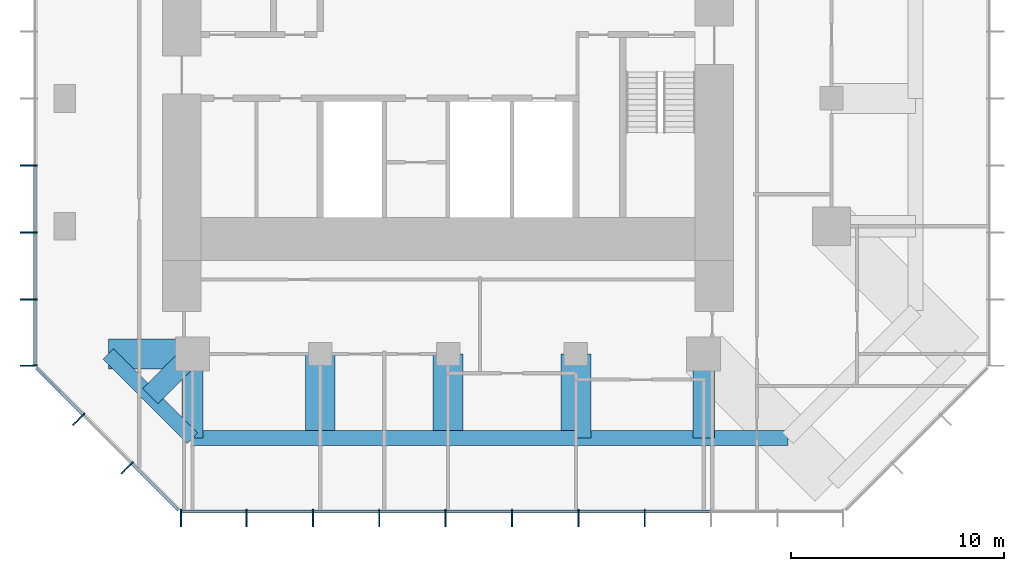
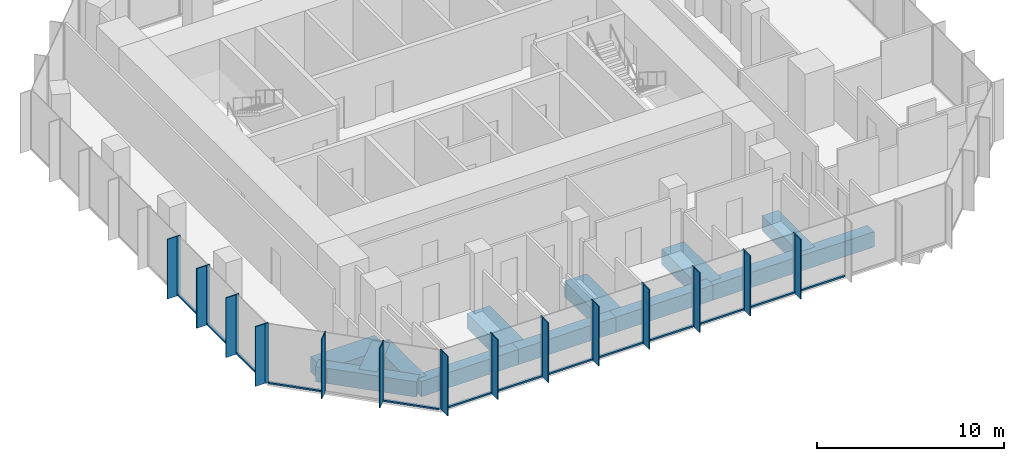
# One storey, part 2 of 11: 41 members, 12 beams, 3 elements without a shape of their own.
"""IFC4 building model written with IfcOpenShell, lengths in metres."""

from ifc_helpers import new_model, si_unit, direction, frame, origin, origin_2d, place, context, subcontext, project, spatial, rectangle, extrude, material, layer, layer_set, material_profile, profile_set, type_object, element, aggregate, save


model = new_model("IFC4")

# Units and contexts
model_context = context("Model", 3, precision=1e-05, world=origin(), true_north=direction((0.0, 1.0)))
body_context = subcontext(model_context, "Body", "Model", "MODEL_VIEW")
ifc_project = project(units=[si_unit("LENGTHUNIT", "METRE"), si_unit("AREAUNIT", "SQUARE_METRE"), si_unit("VOLUMEUNIT", "CUBIC_METRE"), si_unit("PLANEANGLEUNIT", "RADIAN"), si_unit("MASSUNIT", "GRAM", prefix="KILO")], contexts=[model_context])

# Site, building, storey
site_placement = place(None, origin())
site = spatial("IfcSite", under=ifc_project, at=site_placement, CompositionType="ELEMENT")
building_placement = place(site_placement, origin())
building = spatial("IfcBuilding", under=site, at=building_placement, Name="Highveld Stack Headquarters", CompositionType="ELEMENT")
storey_placement = place(building_placement, frame((0.0, 0.0, 276.199951171875)))
storey = spatial("IfcBuildingStorey", under=building, at=storey_placement, Name="L68", CompositionType="ELEMENT", Elevation=276.199951171875)

# Beams
ifc_material_1 = material(Name="Concrete C60/75", Category="concrete")
ifc_material_profile_1 = material_profile(ifc_material_1, rectangle(XDim=1.0, YDim=1.0, at=origin_2d()), Name="RC 1000x1000")
ifc_profile_set_1 = profile_set([ifc_material_profile_1], Name="Concrete C60/75")
beam_type_1 = type_object("IfcBeamType", Name="CANTILEVER RIB RC 1000x1000", PredefinedType="USERDEFINED", material=ifc_profile_set_1)
beam_1_placement = place(storey_placement, frame((-6.0, -12.0, -0.75), z_axis=(0.0, -1.0, 0.0), x_axis=(1.0, 0.0, 0.0)))
element("IfcBeam", 1, at=beam_1_placement, inside=storey, type_object=beam_type_1, Name="Cantilever rib 5/C L68", ObjectType="CANTILEVER RIB", PredefinedType="USERDEFINED", context=body_context, shape_type="SweptSolid", body=[
    extrude(rectangle(XDim=1.0, YDim=1.0, at=origin_2d()), origin(), (0.0, 0.0, 1.0), 3.949951171875),
])
beam_2_placement = place(storey_placement, frame((-6.0, -12.0, -0.75), z_axis=(-0.707106781187, -0.707106781187, 0.0), x_axis=(0.707106781187, -0.707106781187, 0.0)))
element("IfcBeam", 2, at=beam_2_placement, inside=storey, type_object=beam_type_1, Name="Cantilever rib 5/C L68", ObjectType="CANTILEVER RIB", PredefinedType="USERDEFINED", context=body_context, shape_type="SweptSolid", body=[
    extrude(rectangle(XDim=1.0, YDim=1.0, at=origin_2d()), origin(), (0.0, 0.0, 1.0), 2.793212890625),
])
beam_3_placement = place(storey_placement, frame((18.0, -12.0, -0.75), z_axis=(0.0, -1.0, 0.0), x_axis=(1.0, 0.0, 0.0)))
element("IfcBeam", 3, at=beam_3_placement, inside=storey, type_object=beam_type_1, Name="Cantilever rib 9/C L68", ObjectType="CANTILEVER RIB", PredefinedType="USERDEFINED", context=body_context, shape_type="SweptSolid", body=[
    extrude(rectangle(XDim=1.0, YDim=1.0, at=origin_2d()), origin(), (0.0, 0.0, 1.0), 3.949951171875),
])
ifc_material_2 = material(Name="Concrete C60/75", Category="concrete")
ifc_material_profile_2 = material_profile(ifc_material_2, rectangle(XDim=1.39990234375, YDim=1.0, at=origin_2d()), Name="RC 1400x1000")
ifc_profile_set_2 = profile_set([ifc_material_profile_2], Name="Concrete C60/75")
beam_type_2 = type_object("IfcBeamType", Name="CANTILEVER RIB RC 1400x1000", PredefinedType="USERDEFINED", material=ifc_profile_set_2)
for number, where, z_axis, x_axis, name in (
    (4, (-6.0, -12.0, -0.75), (-1.0, 0.0, 0.0), (0.0, -1.0, 0.0), "Cantilever rib 5/C L68"),
    (5, (0.0, -12.0, -0.75), (0.0, -1.0, 0.0), (1.0, 0.0, 0.0), "Cantilever rib 6/C L68"),
    (6, (6.0, -12.0, -0.75), (0.0, -1.0, 0.0), (1.0, 0.0, 0.0), "Cantilever rib 7/C L68"),
    (7, (12.0, -12.0, -0.75), (0.0, -1.0, 0.0), (1.0, 0.0, 0.0), "Cantilever rib 8/C L68"),
):
    element("IfcBeam", number, at=place(storey_placement, frame(where, z_axis=z_axis, x_axis=x_axis)), inside=storey, type_object=beam_type_2, Name=name, ObjectType="CANTILEVER RIB", PredefinedType="USERDEFINED", context=body_context, shape_type="SweptSolid", body=[
        extrude(rectangle(XDim=1.39990234375, YDim=1.0, at=origin_2d()), origin(), (0.0, 0.0, 1.0), 3.949951171875),
    ])

# Curtain wall, members
ifc_material_3 = material(Name="Aluminium bronze anodised", Category="aluminium")
ifc_layer = layer(ifc_material_3, 0.199951171875)
ifc_layer_set = layer_set([ifc_layer], Name="Aluminium bronze anodised")
curtain_wall_type = type_object("IfcCurtainWallType", Name="CW5 EXECUTIVE UNITISED CURTAIN WALL", PredefinedType="NOTDEFINED", material=ifc_layer_set)
curtain_wall_1_placement = place(storey_placement, origin())
curtain_wall_1 = element("IfcCurtainWall", 8, at=curtain_wall_1_placement, inside=storey, type_object=curtain_wall_type, Name="Curtain wall CW5 L68 S", PredefinedType="NOTDEFINED")
ifc_material_4 = material(Name="Aluminium bronze anodised", Category="aluminium")
ifc_material_profile_3 = material_profile(ifc_material_4, rectangle(XDim=0.60009765625, YDim=0.06005859375, at=origin_2d()), Name="FIN 600x60")
ifc_profile_set_3 = profile_set([ifc_material_profile_3], Name="Aluminium bronze anodised")
member_type_1 = type_object("IfcMemberType", Name="CW5 BRONZE FIN 600x60", PredefinedType="USERDEFINED", material=ifc_profile_set_3)
member_1_placement = place(storey_placement, frame((-6.54736328125, -19.800048828125, 0.0), z_axis=(0.0, 0.0, 1.0), x_axis=(0.0, 1.0, 0.0)))
member_1 = element("IfcMember", 9, at=member_1_placement, type_object=member_type_1, Name="CW5 fin L68 1", ObjectType="FIN", PredefinedType="USERDEFINED", context=body_context, shape_type="SweptSolid", body=[
    extrude(rectangle(XDim=0.60009765625, YDim=0.06005859375, at=origin_2d()), origin(), (0.0, 0.0, 1.0), 3.900146484375),
])
member_2_placement = place(storey_placement, frame((-3.4638671875, -19.800048828125, 0.0), z_axis=(0.0, 0.0, 1.0), x_axis=(0.0, 1.0, 0.0)))
member_2 = element("IfcMember", 10, at=member_2_placement, type_object=member_type_1, Name="CW5 fin L68 2", ObjectType="FIN", PredefinedType="USERDEFINED", context=body_context, shape_type="SweptSolid", body=[
    extrude(rectangle(XDim=0.60009765625, YDim=0.06005859375, at=origin_2d()), origin(), (0.0, 0.0, 1.0), 3.900146484375),
])
member_3_placement = place(storey_placement, frame((-0.347900390625, -19.800048828125, 0.0), z_axis=(0.0, 0.0, 1.0), x_axis=(0.0, 1.0, 0.0)))
member_3 = element("IfcMember", 11, at=member_3_placement, type_object=member_type_1, Name="CW5 fin L68 3", ObjectType="FIN", PredefinedType="USERDEFINED", context=body_context, shape_type="SweptSolid", body=[
    extrude(rectangle(XDim=0.60009765625, YDim=0.06005859375, at=origin_2d()), origin(), (0.0, 0.0, 1.0), 3.900146484375),
])
member_4_placement = place(storey_placement, frame((2.76806640625, -19.800048828125, 0.0), z_axis=(0.0, 0.0, 1.0), x_axis=(0.0, 1.0, 0.0)))
member_4 = element("IfcMember", 12, at=member_4_placement, type_object=member_type_1, Name="CW5 fin L68 4", ObjectType="FIN", PredefinedType="USERDEFINED", context=body_context, shape_type="SweptSolid", body=[
    extrude(rectangle(XDim=0.60009765625, YDim=0.06005859375, at=origin_2d()), origin(), (0.0, 0.0, 1.0), 3.900146484375),
])
member_5_placement = place(storey_placement, frame((5.884033203125, -19.800048828125, 0.0), z_axis=(0.0, 0.0, 1.0), x_axis=(0.0, 1.0, 0.0)))
member_5 = element("IfcMember", 13, at=member_5_placement, type_object=member_type_1, Name="CW5 fin L68 5", ObjectType="FIN", PredefinedType="USERDEFINED", context=body_context, shape_type="SweptSolid", body=[
    extrude(rectangle(XDim=0.60009765625, YDim=0.06005859375, at=origin_2d()), origin(), (0.0, 0.0, 1.0), 3.900146484375),
])
member_6_placement = place(storey_placement, frame((9.0, -19.800048828125, 0.0), z_axis=(0.0, 0.0, 1.0), x_axis=(0.0, 1.0, 0.0)))
member_6 = element("IfcMember", 14, at=member_6_placement, type_object=member_type_1, Name="CW5 fin L68 6", ObjectType="FIN", PredefinedType="USERDEFINED", context=body_context, shape_type="SweptSolid", body=[
    extrude(rectangle(XDim=0.60009765625, YDim=0.06005859375, at=origin_2d()), origin(), (0.0, 0.0, 1.0), 3.900146484375),
])
member_7_placement = place(storey_placement, frame((12.115966796875, -19.800048828125, 0.0), z_axis=(0.0, 0.0, 1.0), x_axis=(0.0, 1.0, 0.0)))
member_7 = element("IfcMember", 15, at=member_7_placement, type_object=member_type_1, Name="CW5 fin L68 7", ObjectType="FIN", PredefinedType="USERDEFINED", context=body_context, shape_type="SweptSolid", body=[
    extrude(rectangle(XDim=0.60009765625, YDim=0.06005859375, at=origin_2d()), origin(), (0.0, 0.0, 1.0), 3.900146484375),
])
member_8_placement = place(storey_placement, frame((15.23193359375, -19.800048828125, 0.0), z_axis=(0.0, 0.0, 1.0), x_axis=(0.0, 1.0, 0.0)))
member_8 = element("IfcMember", 16, at=member_8_placement, type_object=member_type_1, Name="CW5 fin L68 8", ObjectType="FIN", PredefinedType="USERDEFINED", context=body_context, shape_type="SweptSolid", body=[
    extrude(rectangle(XDim=0.60009765625, YDim=0.06005859375, at=origin_2d()), origin(), (0.0, 0.0, 1.0), 3.900146484375),
])

curtain_wall_2_placement = place(storey_placement, origin())
curtain_wall_2 = element("IfcCurtainWall", 17, at=curtain_wall_2_placement, inside=storey, type_object=curtain_wall_type, Name="Curtain wall CW5 L68 W", PredefinedType="NOTDEFINED")
member_9_placement = place(storey_placement, frame((-13.800048828125, -3.14501953125, 0.0), z_axis=(0.0, 0.0, 1.0), x_axis=(1.0, 0.0, 0.0)))
member_9 = element("IfcMember", 18, at=member_9_placement, type_object=member_type_1, Name="CW5 fin L68 6", ObjectType="FIN", PredefinedType="USERDEFINED", context=body_context, shape_type="SweptSolid", body=[
    extrude(rectangle(XDim=0.60009765625, YDim=0.06005859375, at=origin_2d()), origin(), (0.0, 0.0, 1.0), 3.900146484375),
])
member_10_placement = place(storey_placement, frame((-13.800048828125, -6.289794921875, 0.0), z_axis=(0.0, 0.0, 1.0), x_axis=(1.0, 0.0, 0.0)))
member_10 = element("IfcMember", 19, at=member_10_placement, type_object=member_type_1, Name="CW5 fin L68 7", ObjectType="FIN", PredefinedType="USERDEFINED", context=body_context, shape_type="SweptSolid", body=[
    extrude(rectangle(XDim=0.60009765625, YDim=0.06005859375, at=origin_2d()), origin(), (0.0, 0.0, 1.0), 3.900146484375),
])
member_11_placement = place(storey_placement, frame((-13.800048828125, -9.434814453125, 0.0), z_axis=(0.0, 0.0, 1.0), x_axis=(1.0, 0.0, 0.0)))
member_11 = element("IfcMember", 20, at=member_11_placement, type_object=member_type_1, Name="CW5 fin L68 8", ObjectType="FIN", PredefinedType="USERDEFINED", context=body_context, shape_type="SweptSolid", body=[
    extrude(rectangle(XDim=0.60009765625, YDim=0.06005859375, at=origin_2d()), origin(), (0.0, 0.0, 1.0), 3.900146484375),
])
member_12_placement = place(storey_placement, frame((-13.800048828125, -12.54736328125, 0.0), z_axis=(0.0, 0.0, 1.0), x_axis=(1.0, 0.0, 0.0)))
member_12 = element("IfcMember", 21, at=member_12_placement, type_object=member_type_1, Name="CW5 fin L68 9", ObjectType="FIN", PredefinedType="USERDEFINED", context=body_context, shape_type="SweptSolid", body=[
    extrude(rectangle(XDim=0.60009765625, YDim=0.06005859375, at=origin_2d()), origin(), (0.0, 0.0, 1.0), 3.900146484375),
])

curtain_wall_3_placement = place(storey_placement, origin())
curtain_wall_3 = element("IfcCurtainWall", 22, at=curtain_wall_3_placement, inside=storey, type_object=curtain_wall_type, Name="Curtain wall CW5 L68 SW", PredefinedType="NOTDEFINED")
member_13_placement = place(storey_placement, frame((-11.409423828125, -15.135986328125, 0.0), z_axis=(0.0, 0.0, 1.0), x_axis=(0.707106781187, 0.707106781187, 0.0)))
member_13 = element("IfcMember", 23, at=member_13_placement, type_object=member_type_1, Name="CW5 fin L68 1", ObjectType="FIN", PredefinedType="USERDEFINED", context=body_context, shape_type="SweptSolid", body=[
    extrude(rectangle(XDim=0.60009765625, YDim=0.06005859375, at=origin_2d()), origin(), (0.0, 0.0, 1.0), 3.900146484375),
])
member_14_placement = place(storey_placement, frame((-9.135986328125, -17.409423828125, 0.0), z_axis=(0.0, 0.0, 1.0), x_axis=(0.707106781187, 0.707106781187, 0.0)))
member_14 = element("IfcMember", 24, at=member_14_placement, type_object=member_type_1, Name="CW5 fin L68 2", ObjectType="FIN", PredefinedType="USERDEFINED", context=body_context, shape_type="SweptSolid", body=[
    extrude(rectangle(XDim=0.60009765625, YDim=0.06005859375, at=origin_2d()), origin(), (0.0, 0.0, 1.0), 3.900146484375),
])

# Member
ifc_material_5 = material(Name="Aluminium bronze anodised", Category="aluminium")
ifc_material_profile_4 = material_profile(ifc_material_5, rectangle(XDim=0.199951171875, YDim=0.06494140625, at=origin_2d()), Name="CW5 MULLION 65x200")
ifc_profile_set_4 = profile_set([ifc_material_profile_4], Name="Aluminium bronze anodised")
member_type_2 = type_object("IfcMemberType", Name="CW5 MULLION 65x200", PredefinedType="MULLION", material=ifc_profile_set_4)
member_15_placement = place(storey_placement, frame((-6.54736328125, -19.39990234375, 0.0), z_axis=(0.0, 0.0, 1.0), x_axis=(0.0, 1.0, 0.0)))
member_15 = element("IfcMember", 25, at=member_15_placement, type_object=member_type_2, Name="CW5 mullion L68 1", PredefinedType="MULLION", context=body_context, shape_type="SweptSolid", body=[
    extrude(rectangle(XDim=0.199951171875, YDim=0.06494140625, at=origin_2d()), origin(), (0.0, 0.0, 1.0), 3.900146484375),
])

member_16_placement = place(storey_placement, frame((-3.4638671875, -19.39990234375, 0.0), z_axis=(0.0, 0.0, 1.0), x_axis=(0.0, 1.0, 0.0)))
member_16 = element("IfcMember", 26, at=member_16_placement, type_object=member_type_2, Name="CW5 mullion L68 2", PredefinedType="MULLION", context=body_context, shape_type="SweptSolid", body=[
    extrude(rectangle(XDim=0.199951171875, YDim=0.06494140625, at=origin_2d()), origin(), (0.0, 0.0, 1.0), 3.900146484375),
])

member_17_placement = place(storey_placement, frame((-0.347900390625, -19.39990234375, 0.0), z_axis=(0.0, 0.0, 1.0), x_axis=(0.0, 1.0, 0.0)))
member_17 = element("IfcMember", 27, at=member_17_placement, type_object=member_type_2, Name="CW5 mullion L68 3", PredefinedType="MULLION", context=body_context, shape_type="SweptSolid", body=[
    extrude(rectangle(XDim=0.199951171875, YDim=0.06494140625, at=origin_2d()), origin(), (0.0, 0.0, 1.0), 3.900146484375),
])

member_18_placement = place(storey_placement, frame((2.76806640625, -19.39990234375, 0.0), z_axis=(0.0, 0.0, 1.0), x_axis=(0.0, 1.0, 0.0)))
member_18 = element("IfcMember", 28, at=member_18_placement, type_object=member_type_2, Name="CW5 mullion L68 4", PredefinedType="MULLION", context=body_context, shape_type="SweptSolid", body=[
    extrude(rectangle(XDim=0.199951171875, YDim=0.06494140625, at=origin_2d()), origin(), (0.0, 0.0, 1.0), 3.900146484375),
])

member_19_placement = place(storey_placement, frame((5.884033203125, -19.39990234375, 0.0), z_axis=(0.0, 0.0, 1.0), x_axis=(0.0, 1.0, 0.0)))
member_19 = element("IfcMember", 29, at=member_19_placement, type_object=member_type_2, Name="CW5 mullion L68 5", PredefinedType="MULLION", context=body_context, shape_type="SweptSolid", body=[
    extrude(rectangle(XDim=0.199951171875, YDim=0.06494140625, at=origin_2d()), origin(), (0.0, 0.0, 1.0), 3.900146484375),
])

member_20_placement = place(storey_placement, frame((9.0, -19.39990234375, 0.0), z_axis=(0.0, 0.0, 1.0), x_axis=(0.0, 1.0, 0.0)))
member_20 = element("IfcMember", 30, at=member_20_placement, type_object=member_type_2, Name="CW5 mullion L68 6", PredefinedType="MULLION", context=body_context, shape_type="SweptSolid", body=[
    extrude(rectangle(XDim=0.199951171875, YDim=0.06494140625, at=origin_2d()), origin(), (0.0, 0.0, 1.0), 3.900146484375),
])

member_21_placement = place(storey_placement, frame((12.115966796875, -19.39990234375, 0.0), z_axis=(0.0, 0.0, 1.0), x_axis=(0.0, 1.0, 0.0)))
member_21 = element("IfcMember", 31, at=member_21_placement, type_object=member_type_2, Name="CW5 mullion L68 7", PredefinedType="MULLION", context=body_context, shape_type="SweptSolid", body=[
    extrude(rectangle(XDim=0.199951171875, YDim=0.06494140625, at=origin_2d()), origin(), (0.0, 0.0, 1.0), 3.900146484375),
])

member_22_placement = place(storey_placement, frame((15.23193359375, -19.39990234375, 0.0), z_axis=(0.0, 0.0, 1.0), x_axis=(0.0, 1.0, 0.0)))
member_22 = element("IfcMember", 32, at=member_22_placement, type_object=member_type_2, Name="CW5 mullion L68 8", PredefinedType="MULLION", context=body_context, shape_type="SweptSolid", body=[
    extrude(rectangle(XDim=0.199951171875, YDim=0.06494140625, at=origin_2d()), origin(), (0.0, 0.0, 1.0), 3.900146484375),
])

member_23_placement = place(storey_placement, frame((-13.39990234375, -3.14501953125, 0.0), z_axis=(0.0, 0.0, 1.0), x_axis=(1.0, 0.0, 0.0)))
member_23 = element("IfcMember", 33, at=member_23_placement, type_object=member_type_2, Name="CW5 mullion L68 6", PredefinedType="MULLION", context=body_context, shape_type="SweptSolid", body=[
    extrude(rectangle(XDim=0.199951171875, YDim=0.06494140625, at=origin_2d()), origin(), (0.0, 0.0, 1.0), 3.900146484375),
])

member_24_placement = place(storey_placement, frame((-13.39990234375, -6.289794921875, 0.0), z_axis=(0.0, 0.0, 1.0), x_axis=(1.0, 0.0, 0.0)))
member_24 = element("IfcMember", 34, at=member_24_placement, type_object=member_type_2, Name="CW5 mullion L68 7", PredefinedType="MULLION", context=body_context, shape_type="SweptSolid", body=[
    extrude(rectangle(XDim=0.199951171875, YDim=0.06494140625, at=origin_2d()), origin(), (0.0, 0.0, 1.0), 3.900146484375),
])

member_25_placement = place(storey_placement, frame((-13.39990234375, -9.434814453125, 0.0), z_axis=(0.0, 0.0, 1.0), x_axis=(1.0, 0.0, 0.0)))
member_25 = element("IfcMember", 35, at=member_25_placement, type_object=member_type_2, Name="CW5 mullion L68 8", PredefinedType="MULLION", context=body_context, shape_type="SweptSolid", body=[
    extrude(rectangle(XDim=0.199951171875, YDim=0.06494140625, at=origin_2d()), origin(), (0.0, 0.0, 1.0), 3.900146484375),
])

member_26_placement = place(storey_placement, frame((-13.39990234375, -12.54736328125, 0.0), z_axis=(0.0, 0.0, 1.0), x_axis=(1.0, 0.0, 0.0)))
member_26 = element("IfcMember", 36, at=member_26_placement, type_object=member_type_2, Name="CW5 mullion L68 9", PredefinedType="MULLION", context=body_context, shape_type="SweptSolid", body=[
    extrude(rectangle(XDim=0.199951171875, YDim=0.06494140625, at=origin_2d()), origin(), (0.0, 0.0, 1.0), 3.900146484375),
])

member_27_placement = place(storey_placement, frame((-11.126708984375, -14.853271484375, 0.0), z_axis=(0.0, 0.0, 1.0), x_axis=(0.707106781187, 0.707106781187, 0.0)))
member_27 = element("IfcMember", 37, at=member_27_placement, type_object=member_type_2, Name="CW5 mullion L68 1", PredefinedType="MULLION", context=body_context, shape_type="SweptSolid", body=[
    extrude(rectangle(XDim=0.199951171875, YDim=0.06494140625, at=origin_2d()), origin(), (0.0, 0.0, 1.0), 3.900146484375),
])

member_28_placement = place(storey_placement, frame((-8.853271484375, -17.126708984375, 0.0), z_axis=(0.0, 0.0, 1.0), x_axis=(0.707106781187, 0.707106781187, 0.0)))
member_28 = element("IfcMember", 38, at=member_28_placement, type_object=member_type_2, Name="CW5 mullion L68 2", PredefinedType="MULLION", context=body_context, shape_type="SweptSolid", body=[
    extrude(rectangle(XDim=0.199951171875, YDim=0.06494140625, at=origin_2d()), origin(), (0.0, 0.0, 1.0), 3.900146484375),
])

ifc_material_6 = material(Name="Aluminium bronze anodised", Category="aluminium")
ifc_material_profile_5 = material_profile(ifc_material_6, rectangle(XDim=0.14990234375, YDim=0.10009765625, at=origin_2d()), Name="CW5 TRANSOM 150x100")
ifc_profile_set_5 = profile_set([ifc_material_profile_5], Name="Aluminium bronze anodised")
member_type_3 = type_object("IfcMemberType", Name="CW5 STACK TRANSOM 150x100", PredefinedType="USERDEFINED", material=ifc_profile_set_5)
member_29_placement = place(storey_placement, frame((-6.514892578125, -19.39990234375, 0.050048828125), z_axis=(1.0, 0.0, 0.0), x_axis=(0.0, 1.0, 0.0)))
member_29 = element("IfcMember", 39, at=member_29_placement, type_object=member_type_3, Name="CW5 transom L68 1.1", ObjectType="TRANSOM", PredefinedType="USERDEFINED", context=body_context, shape_type="SweptSolid", body=[
    extrude(rectangle(XDim=0.14990234375, YDim=0.10009765625, at=origin_2d()), origin(), (0.0, 0.0, 1.0), 3.0185546875),
])

member_30_placement = place(storey_placement, frame((-3.431396484375, -19.39990234375, 0.050048828125), z_axis=(1.0, 0.0, 0.0), x_axis=(0.0, 1.0, 0.0)))
member_30 = element("IfcMember", 40, at=member_30_placement, type_object=member_type_3, Name="CW5 transom L68 2.1", ObjectType="TRANSOM", PredefinedType="USERDEFINED", context=body_context, shape_type="SweptSolid", body=[
    extrude(rectangle(XDim=0.14990234375, YDim=0.10009765625, at=origin_2d()), origin(), (0.0, 0.0, 1.0), 3.051025390625),
])

member_31_placement = place(storey_placement, frame((-0.3154296875, -19.39990234375, 0.050048828125), z_axis=(1.0, 0.0, 0.0), x_axis=(0.0, 1.0, 0.0)))
member_31 = element("IfcMember", 41, at=member_31_placement, type_object=member_type_3, Name="CW5 transom L68 3.1", ObjectType="TRANSOM", PredefinedType="USERDEFINED", context=body_context, shape_type="SweptSolid", body=[
    extrude(rectangle(XDim=0.14990234375, YDim=0.10009765625, at=origin_2d()), origin(), (0.0, 0.0, 1.0), 3.051025390625),
])

member_32_placement = place(storey_placement, frame((2.800537109375, -19.39990234375, 0.050048828125), z_axis=(1.0, 0.0, 0.0), x_axis=(0.0, 1.0, 0.0)))
member_32 = element("IfcMember", 42, at=member_32_placement, type_object=member_type_3, Name="CW5 transom L68 4.1", ObjectType="TRANSOM", PredefinedType="USERDEFINED", context=body_context, shape_type="SweptSolid", body=[
    extrude(rectangle(XDim=0.14990234375, YDim=0.10009765625, at=origin_2d()), origin(), (0.0, 0.0, 1.0), 3.051025390625),
])

member_33_placement = place(storey_placement, frame((5.91650390625, -19.39990234375, 0.050048828125), z_axis=(1.0, 0.0, 0.0), x_axis=(0.0, 1.0, 0.0)))
member_33 = element("IfcMember", 43, at=member_33_placement, type_object=member_type_3, Name="CW5 transom L68 5.1", ObjectType="TRANSOM", PredefinedType="USERDEFINED", context=body_context, shape_type="SweptSolid", body=[
    extrude(rectangle(XDim=0.14990234375, YDim=0.10009765625, at=origin_2d()), origin(), (0.0, 0.0, 1.0), 3.051025390625),
])

member_34_placement = place(storey_placement, frame((9.032470703125, -19.39990234375, 0.050048828125), z_axis=(1.0, 0.0, 0.0), x_axis=(0.0, 1.0, 0.0)))
member_34 = element("IfcMember", 44, at=member_34_placement, type_object=member_type_3, Name="CW5 transom L68 6.1", ObjectType="TRANSOM", PredefinedType="USERDEFINED", context=body_context, shape_type="SweptSolid", body=[
    extrude(rectangle(XDim=0.14990234375, YDim=0.10009765625, at=origin_2d()), origin(), (0.0, 0.0, 1.0), 3.051025390625),
])

member_35_placement = place(storey_placement, frame((12.1484375, -19.39990234375, 0.050048828125), z_axis=(1.0, 0.0, 0.0), x_axis=(0.0, 1.0, 0.0)))
member_35 = element("IfcMember", 45, at=member_35_placement, type_object=member_type_3, Name="CW5 transom L68 7.1", ObjectType="TRANSOM", PredefinedType="USERDEFINED", context=body_context, shape_type="SweptSolid", body=[
    extrude(rectangle(XDim=0.14990234375, YDim=0.10009765625, at=origin_2d()), origin(), (0.0, 0.0, 1.0), 3.051025390625),
])

member_36_placement = place(storey_placement, frame((15.264404296875, -19.39990234375, 0.050048828125), z_axis=(1.0, 0.0, 0.0), x_axis=(0.0, 1.0, 0.0)))
member_36 = element("IfcMember", 46, at=member_36_placement, type_object=member_type_3, Name="CW5 transom L68 8.1", ObjectType="TRANSOM", PredefinedType="USERDEFINED", context=body_context, shape_type="SweptSolid", body=[
    extrude(rectangle(XDim=0.14990234375, YDim=0.10009765625, at=origin_2d()), origin(), (0.0, 0.0, 1.0), 3.051025390625),
])

aggregate(curtain_wall_1, [member_15, member_1, member_16, member_2, member_17, member_3, member_18, member_4, member_19, member_5, member_20, member_6, member_21, member_7, member_22, member_8, member_29, member_30, member_31, member_32, member_33, member_34, member_35, member_36])

member_37_placement = place(storey_placement, frame((-13.39990234375, -3.177490234375, 0.050048828125), z_axis=(0.0, -1.0, 0.0), x_axis=(1.0, 0.0, 0.0)))
member_37 = element("IfcMember", 47, at=member_37_placement, type_object=member_type_3, Name="CW5 transom L68 6.1", ObjectType="TRANSOM", PredefinedType="USERDEFINED", context=body_context, shape_type="SweptSolid", body=[
    extrude(rectangle(XDim=0.14990234375, YDim=0.10009765625, at=origin_2d()), origin(), (0.0, 0.0, 1.0), 3.080078125),
])

member_38_placement = place(storey_placement, frame((-13.39990234375, -6.322509765625, 0.050048828125), z_axis=(0.0, -1.0, 0.0), x_axis=(1.0, 0.0, 0.0)))
member_38 = element("IfcMember", 48, at=member_38_placement, type_object=member_type_3, Name="CW5 transom L68 7.1", ObjectType="TRANSOM", PredefinedType="USERDEFINED", context=body_context, shape_type="SweptSolid", body=[
    extrude(rectangle(XDim=0.14990234375, YDim=0.10009765625, at=origin_2d()), origin(), (0.0, 0.0, 1.0), 3.079833984375),
])

member_39_placement = place(storey_placement, frame((-13.39990234375, -9.46728515625, 0.050048828125), z_axis=(0.0, -1.0, 0.0), x_axis=(1.0, 0.0, 0.0)))
member_39 = element("IfcMember", 49, at=member_39_placement, type_object=member_type_3, Name="CW5 transom L68 8.1", ObjectType="TRANSOM", PredefinedType="USERDEFINED", context=body_context, shape_type="SweptSolid", body=[
    extrude(rectangle(XDim=0.14990234375, YDim=0.10009765625, at=origin_2d()), origin(), (0.0, 0.0, 1.0), 3.047607421875),
])

aggregate(curtain_wall_2, [member_23, member_9, member_24, member_10, member_25, member_11, member_26, member_12, member_37, member_38, member_39])

member_40_placement = place(storey_placement, frame((-13.329345703125, -12.650634765625, 0.050048828125), z_axis=(0.707106781187, -0.707106781187, 0.0), x_axis=(0.707106781187, 0.707106781187, 0.0)))
member_40 = element("IfcMember", 50, at=member_40_placement, type_object=member_type_3, Name="CW5 transom L68 1.1", ObjectType="TRANSOM", PredefinedType="USERDEFINED", context=body_context, shape_type="SweptSolid", body=[
    extrude(rectangle(XDim=0.14990234375, YDim=0.10009765625, at=origin_2d()), origin(), (0.0, 0.0, 1.0), 3.08251953125),
])

member_41_placement = place(storey_placement, frame((-8.830322265625, -17.149658203125, 0.050048828125), z_axis=(0.707106781187, -0.707106781187, 0.0), x_axis=(0.707106781187, 0.707106781187, 0.0)))
member_41 = element("IfcMember", 51, at=member_41_placement, type_object=member_type_3, Name="CW5 transom L68 3.1", ObjectType="TRANSOM", PredefinedType="USERDEFINED", context=body_context, shape_type="SweptSolid", body=[
    extrude(rectangle(XDim=0.14990234375, YDim=0.10009765625, at=origin_2d()), origin(), (0.0, 0.0, 1.0), 3.08251953125),
])

aggregate(curtain_wall_3, [member_27, member_13, member_28, member_14, member_40, member_41])

# Beams
ifc_material_7 = material(Name="Concrete C60/75", Category="concrete")
ifc_material_profile_6 = material_profile(ifc_material_7, rectangle(XDim=0.699951171875, YDim=1.0, at=origin_2d()), Name="RC 700x1000")
ifc_profile_set_6 = profile_set([ifc_material_profile_6], Name="Concrete C60/75")
beam_type_3 = type_object("IfcBeamType", Name="RIB TIP BEAM RC 700x1000", PredefinedType="SPANDREL", material=ifc_profile_set_6)
for number, where, z_axis, x_axis, name in (
    (52, (-6.0, -15.949951171875, -0.75), (1.0, 0.0, 0.0), (0.0, 1.0, 0.0), "Rib tip beam 5/C to 6/C L68"),
    (53, (0.0, -15.949951171875, -0.75), (1.0, 0.0, 0.0), (0.0, 1.0, 0.0), "Rib tip beam 6/C to 7/C L68"),
    (54, (6.0, -15.949951171875, -0.75), (1.0, 0.0, 0.0), (0.0, 1.0, 0.0), "Rib tip beam 7/C to 8/C L68"),
):
    element("IfcBeam", number, at=place(storey_placement, frame(where, z_axis=z_axis, x_axis=x_axis)), inside=storey, type_object=beam_type_3, Name=name, PredefinedType="SPANDREL", context=body_context, shape_type="SweptSolid", body=[
        extrude(rectangle(XDim=0.699951171875, YDim=1.0, at=origin_2d()), origin(), (0.0, 0.0, 1.0), 6.0),
    ])
beam_4_placement = place(storey_placement, frame((12.0, -15.949951171875, -0.75), z_axis=(1.0, 0.0, 0.0), x_axis=(0.0, 1.0, 0.0)))
element("IfcBeam", 55, at=beam_4_placement, inside=storey, type_object=beam_type_3, Name="Rib tip beam 8/C to 9/C L68", PredefinedType="SPANDREL", context=body_context, shape_type="SweptSolid", body=[
    extrude(rectangle(XDim=0.699951171875, YDim=1.0, at=origin_2d()), origin(), (0.0, 0.0, 1.0), 9.949951171875),
])
beam_5_placement = place(storey_placement, frame((-9.949951171875, -12.0, -0.75), z_axis=(0.707106781187, -0.707106781187, 0.0), x_axis=(0.707106781187, 0.707106781187, 0.0)))
element("IfcBeam", 56, at=beam_5_placement, inside=storey, type_object=beam_type_3, Name="Rib tip beam 5/C corner L68", PredefinedType="SPANDREL", context=body_context, shape_type="SweptSolid", body=[
    extrude(rectangle(XDim=0.699951171875, YDim=1.0, at=origin_2d()), origin(), (0.0, 0.0, 1.0), 5.586181640625),
])

save(model, "model.ifc")
